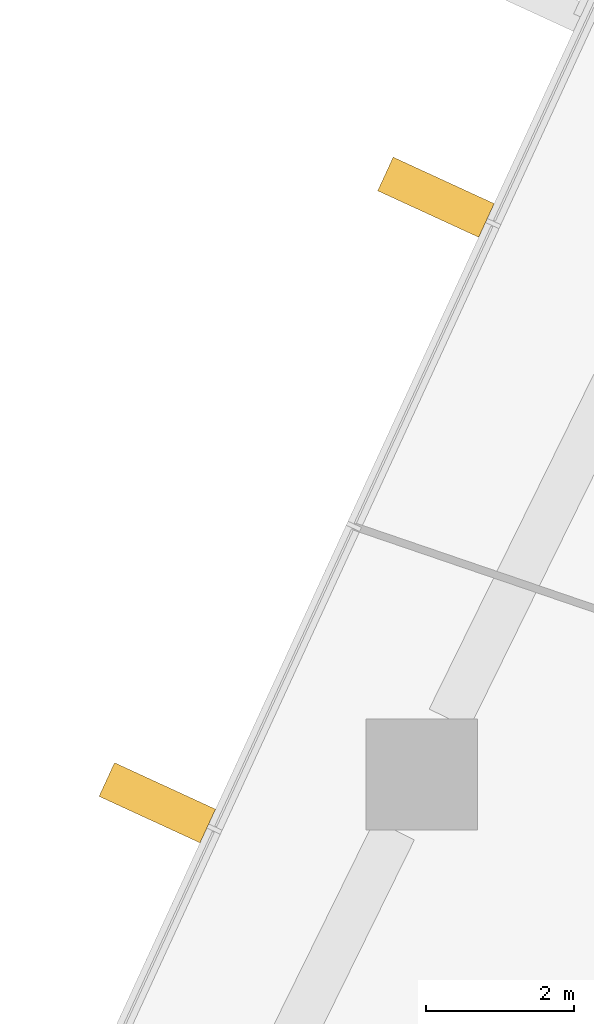
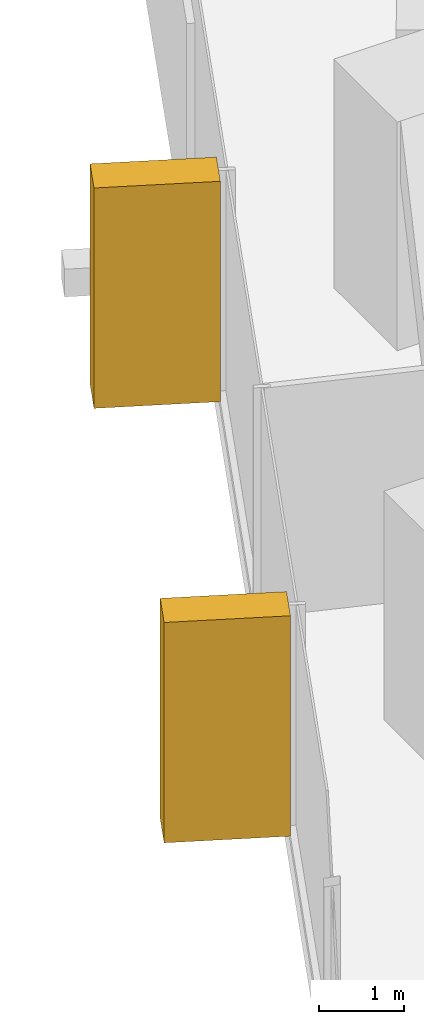
# One storey, part 24 of 26: 2 coverings, 1 element without a shape of its own.
"""IFC4 building model written with IfcOpenShell, lengths in metres."""

from ifc_helpers import new_model, si_unit, direction, frame, origin, origin_2d, place, context, subcontext, project, spatial, rectangle, extrude, material, layer, layer_set, material_profile, profile_set, type_object, element, aggregate, save


model = new_model("IFC4")

# Units and contexts
model_context = context("Model", 3, precision=1e-05, world=origin(), true_north=direction((0.0, 1.0)))
body_context = subcontext(model_context, "Body", "Model", "MODEL_VIEW")
ifc_project = project(units=[si_unit("LENGTHUNIT", "METRE"), si_unit("AREAUNIT", "SQUARE_METRE"), si_unit("VOLUMEUNIT", "CUBIC_METRE"), si_unit("PLANEANGLEUNIT", "RADIAN"), si_unit("MASSUNIT", "GRAM", prefix="KILO")], contexts=[model_context])

# Site, building, storey
site_placement = place(None, origin())
site = spatial("IfcSite", under=ifc_project, at=site_placement, CompositionType="ELEMENT")
building_placement = place(site_placement, origin())
building = spatial("IfcBuilding", under=site, at=building_placement, Name="Dongbaek Canopy Tower", CompositionType="ELEMENT")
storey_placement = place(building_placement, frame((0.0, 0.0, 69.89990234375)))
storey = spatial("IfcBuildingStorey", under=building, at=storey_placement, Name="L13", CompositionType="ELEMENT", Elevation=69.89990234375)

# Curtain wall, coverings
ifc_material_1 = material(Name="Aluminium 6063-T6 pale anodised", Category="aluminium")
ifc_layer = layer(ifc_material_1, 0.199951171875)
ifc_layer_set = layer_set([ifc_layer], Name="CW-1 unitised tower curtain wall")
curtain_wall_type = type_object("IfcCurtainWallType", Name="CW-1 unitised tower curtain wall", PredefinedType="NOTDEFINED", material=ifc_layer_set)
curtain_wall_placement = place(storey_placement, origin())
curtain_wall = element("IfcCurtainWall", 1, at=curtain_wall_placement, inside=storey, type_object=curtain_wall_type, Name="CW-1 curtain wall F2.1", PredefinedType="NOTDEFINED")
ifc_material_2 = material(Name="Aluminium 6063-T6 pale metal fin", Category="aluminium")
ifc_material_profile = material_profile(ifc_material_2, rectangle(XDim=1.5, YDim=0.5, at=origin_2d()), Name="Fin FN1 500 x 1500 pale metal")
ifc_profile_set = profile_set([ifc_material_profile], Name="Aluminium 6063-T6 pale metal fin")
covering_type = type_object("IfcCoveringType", Name="Fin FN1 500 x 1500 pale metal", PredefinedType="CLADDING", material=ifc_profile_set)
covering_1_placement = place(storey_placement, frame((-26.395263671875, 23.9052734375, 0.1201171875), z_axis=(0.0, 0.0, 1.0), x_axis=(-0.908435687115, 0.418024643264, 0.0)))
covering_1 = element("IfcCovering", 2, at=covering_1_placement, type_object=covering_type, Name="Fin F2.1.3", PredefinedType="CLADDING", context=body_context, shape_type="SweptSolid", body=[
    extrude(rectangle(XDim=1.5, YDim=0.5, at=origin_2d()), origin(), (0.0, 0.0, 1.0), 3.179931640625),
])
covering_2_placement = place(storey_placement, frame((-30.154541015625, 15.735595703125, 0.1201171875), z_axis=(0.0, 0.0, 1.0), x_axis=(-0.908435687115, 0.418024643264, 0.0)))
covering_2 = element("IfcCovering", 3, at=covering_2_placement, type_object=covering_type, Name="Fin F2.1.5", PredefinedType="CLADDING", context=body_context, shape_type="SweptSolid", body=[
    extrude(rectangle(XDim=1.5, YDim=0.5, at=origin_2d()), origin(), (0.0, 0.0, 1.0), 3.179931640625),
])
aggregate(curtain_wall, [covering_1, covering_2])

save(model, "model.ifc")
